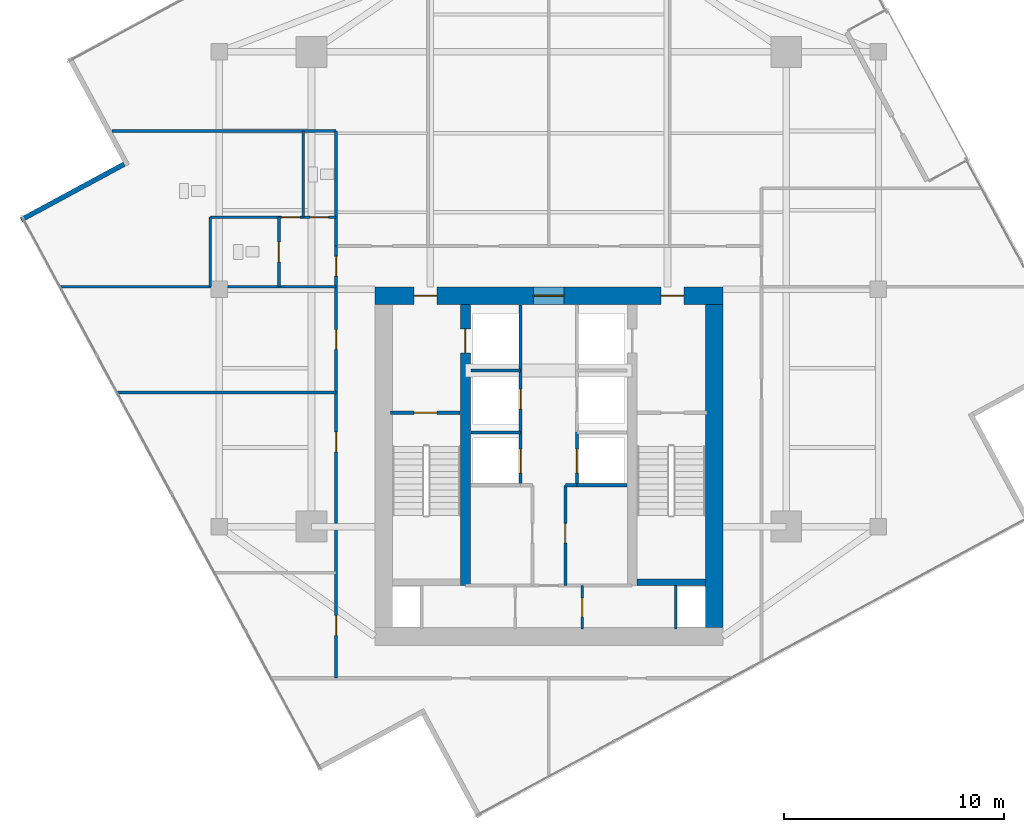
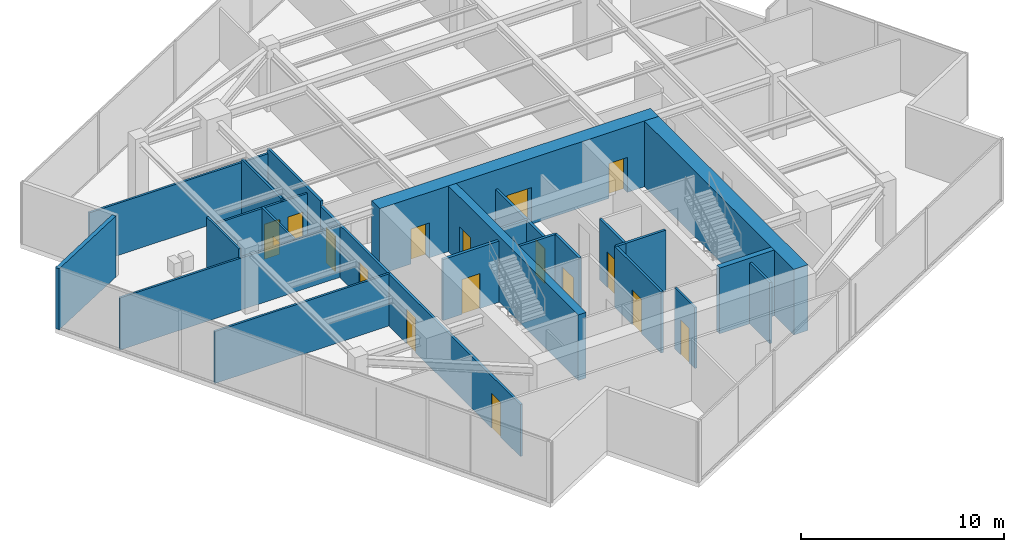
# One storey, part 19 of 22: 25 walls, 17 doors, 17 openings.
"""IFC4 building model written with IfcOpenShell, lengths in metres."""

import ifcopenshell
import ifcopenshell.guid

model = None  # the IFC model being written
_history = None  # IfcOwnerHistory: only IFC2X3 demands one
_inside = {}  # id of a spatial element -> (the spatial element, [elements in it])
_under = {}  # id of a project, library or spatial element -> (it, [spatial elements below it])
_declared = {}  # id of a project -> (the project, [libraries it declares])
_typed = {}  # id of a type object -> (the type object, [elements of that type])
_made_of = {}  # id of a material, layer set ... -> (it, [elements and type objects made of it])


def new_model(schema):
    """Start an empty IFC model of exactly this schema.

    Asked for "IFC4X3", IfcOpenShell would pick the latest addendum, in which some entities
    have other attributes; the version numbers below select the first issue.
    IFC2X3 requires an IfcOwnerHistory on every rooted entity: one is made here for all.
    """
    global model, _history
    if schema == "IFC4X3":
        model = ifcopenshell.file(schema_version=(4, 3, 0, 0))
    else:
        model = ifcopenshell.file(schema=schema)
    _inside.clear()
    _under.clear()
    _declared.clear()
    _typed.clear()
    _made_of.clear()
    _history = None
    if model.schema == "IFC2X3":
        org = make("IfcOrganization", Name="unknown")
        user = make(
            "IfcPersonAndOrganization",
            ThePerson=make("IfcPerson", FamilyName="unknown"),
            TheOrganization=org,
        )
        app = make(
            "IfcApplication",
            ApplicationDeveloper=org,
            Version="unknown",
            ApplicationFullName="unknown",
            ApplicationIdentifier="unknown",
        )
        _history = make(
            "IfcOwnerHistory",
            OwningUser=user,
            OwningApplication=app,
            ChangeAction="ADDED",
            CreationDate=0,
        )
    return model


def make(cls, **values):
    """One entity of the class cls with the attributes given. An attribute that is None is left unset."""
    return model.create_entity(
        cls, **{name: value for name, value in values.items() if value is not None}
    )


def rooted(cls, **values):
    """An entity with a GlobalId (a new one), such as an element, a storey or a relation."""
    return make(cls, GlobalId=ifcopenshell.guid.new(), OwnerHistory=_history, **values)


def si_unit(unit_type, name, prefix=None):
    """IfcSIUnit, for example si_unit("LENGTHUNIT", "METRE", prefix="MILLI")."""
    return make("IfcSIUnit", UnitType=unit_type, Prefix=prefix, Name=name)


def assignment(units):
    """IfcUnitAssignment: the units of a project."""
    return None if units is None else make("IfcUnitAssignment", Units=units)


def point(xyz):
    """IfcCartesianPoint."""
    return None if xyz is None else make("IfcCartesianPoint", Coordinates=xyz)


def direction(xyz):
    """IfcDirection."""
    return None if xyz is None else make("IfcDirection", DirectionRatios=xyz)


def frame(location, z_axis=None, x_axis=None):
    """IfcAxis2Placement3D, a coordinate frame: its origin and axes. An axis left out is left unset."""
    return make(
        "IfcAxis2Placement3D",
        Location=point(location),
        Axis=direction(z_axis),
        RefDirection=direction(x_axis),
    )


def frame_2d(location, x_axis=None):
    """IfcAxis2Placement2D, a coordinate frame in the plane: its origin and x axis."""
    return make(
        "IfcAxis2Placement2D", Location=point(location), RefDirection=direction(x_axis)
    )


def origin():
    """The frame at (0, 0, 0) with its axes left unset."""
    return frame((0.0, 0.0, 0.0))


def place(relative_to, where):
    """IfcLocalPlacement: puts the frame where relative to a parent placement (None: the world)."""
    return make(
        "IfcLocalPlacement", PlacementRelTo=relative_to, RelativePlacement=where
    )


def context(
    kind, dimensions, precision=None, world=None, true_north=None, identifier=None
):
    """IfcGeometricRepresentationContext, for example the 3D "Model" context."""
    return make(
        "IfcGeometricRepresentationContext",
        ContextIdentifier=identifier,
        ContextType=kind,
        CoordinateSpaceDimension=dimensions,
        Precision=precision,
        WorldCoordinateSystem=world,
        TrueNorth=true_north,
    )


def subcontext(parent, identifier, kind, view, scale=None):
    """IfcGeometricRepresentationSubContext, for example "Body" below "Model"."""
    return make(
        "IfcGeometricRepresentationSubContext",
        ContextIdentifier=identifier,
        ContextType=kind,
        ParentContext=parent,
        TargetScale=scale,
        TargetView=view,
    )


def project(units=None, contexts=None):
    """IfcProject with its units and contexts."""
    return rooted(
        "IfcProject",
        Name="project",
        RepresentationContexts=contexts,
        UnitsInContext=assignment(units),
    )


def spatial(cls, under=None, at=None, **own):
    """A site, building, storey or space (cls), placed at a placement, below another one or the project."""
    s = rooted(cls, ObjectPlacement=at, **own)
    if under is not None:
        _under.setdefault(under.id(), (under, []))[1].append(s)
    return s


def profile(cls, at=None, kind="AREA", **sizes):
    """A parametric profile (cls). Its sizes go by their IFC names, for example OverallWidth=200.0."""
    return make(cls, ProfileType=kind, Position=at, **sizes)


def rectangle(**sizes):
    """IfcRectangleProfileDef."""
    return profile("IfcRectangleProfileDef", **sizes)


def extrude(swept, where, along, depth):
    """IfcExtrudedAreaSolid: the profile swept, set in the frame where, extruded along a direction by depth."""
    return make(
        "IfcExtrudedAreaSolid",
        SweptArea=swept,
        Position=where,
        ExtrudedDirection=direction(along),
        Depth=depth,
    )


def shape(context_of_items, identifier, shape_type, items):
    """IfcShapeRepresentation: the items that make up one representation, for example the "Body"."""
    return make(
        "IfcShapeRepresentation",
        ContextOfItems=context_of_items,
        RepresentationIdentifier=identifier,
        RepresentationType=shape_type,
        Items=items,
    )


def material(Name=None, Category=None):
    """IfcMaterial."""
    return make("IfcMaterial", Name=Name, Category=Category)


def layer(
    of_material, thickness, ventilated=None, Name=None, Category=None, Priority=None
):
    """IfcMaterialLayer: one layer of a wall or slab, of a material (None: an air gap)."""
    return make(
        "IfcMaterialLayer",
        Material=of_material,
        LayerThickness=thickness,
        IsVentilated=ventilated,
        Name=Name,
        Category=Category,
        Priority=Priority,
    )


def layer_set(layers, Name=None):
    """IfcMaterialLayerSet."""
    return make("IfcMaterialLayerSet", MaterialLayers=layers, LayerSetName=Name)


def made_of(thing, what):
    """Note that an element or type object is made of a material, layer set ...; save() writes the relation."""
    if what is not None:
        _made_of.setdefault(what.id(), (what, []))[1].append(thing)
    return thing


def type_object(cls, material=None, **own):
    """A type object (cls), such as IfcWallType, which elements share."""
    return made_of(rooted(cls, **own), material)


def element(
    cls,
    number,
    at=None,
    inside=None,
    cuts=None,
    type_object=None,
    material=None,
    context=None,
    identifier="Body",
    shape_type=None,
    held_by="IfcProductDefinitionShape",
    body=None,
    shapes=None,
    **own,
):
    """One element of the class cls, such as IfcWall. Its Tag is "e" and its number.

    at: its placement. inside: the storey or other place that contains it. cuts: it is an
    opening in that element (IfcRelVoidsElement). A single representation is given by context,
    identifier, shape_type and body (its items); several are given by shapes. held_by: the class
    of the entity that holds the representations. save() writes the other relations.
    """
    e = rooted(cls, Tag="e%d" % number, ObjectPlacement=at, **own)
    if body is not None:
        shapes = [shape(context, identifier, shape_type, body)]
    if shapes is not None:
        e.Representation = make(held_by, Representations=shapes)
    if inside is not None:
        _inside.setdefault(inside.id(), (inside, []))[1].append(e)
    if cuts is not None:
        rooted(
            "IfcRelVoidsElement", RelatingBuildingElement=cuts, RelatedOpeningElement=e
        )
    if type_object is not None:
        _typed.setdefault(type_object.id(), (type_object, []))[1].append(e)
    return made_of(e, material)


def fill(opening, filler):
    """IfcRelFillsElement: the door or window that sits in an opening."""
    return rooted(
        "IfcRelFillsElement",
        RelatingOpeningElement=opening,
        RelatedBuildingElement=filler,
    )


def aggregate(whole, parts):
    """IfcRelAggregates: a whole, such as a stair, and the parts it consists of."""
    return rooted("IfcRelAggregates", RelatingObject=whole, RelatedObjects=parts)


def save(model, path):
    """Write the relations noted so far, then the file.

    IfcRelAggregates (storeys below a building ...), IfcRelContainedInSpatialStructure (elements
    in a storey), IfcRelDefinesByType, IfcRelAssociatesMaterial and IfcRelDeclares: one each for
    every whole, place, type object, material and project.
    """
    for whole, parts in _under.values():
        aggregate(whole, parts)
    for where, things in _inside.values():
        rooted(
            "IfcRelContainedInSpatialStructure",
            RelatedElements=things,
            RelatingStructure=where,
        )
    for kind, things in _typed.values():
        rooted("IfcRelDefinesByType", RelatedObjects=things, RelatingType=kind)
    for what, things in _made_of.values():
        rooted("IfcRelAssociatesMaterial", RelatedObjects=things, RelatingMaterial=what)
    for by, libraries in _declared.values():
        rooted("IfcRelDeclares", RelatingContext=by, RelatedDefinitions=libraries)
    model.write(path)


model = new_model("IFC4")

# Units and contexts
model_context = context("Model", 3, precision=1e-05, world=origin(), true_north=direction((0.0, 1.0)))
body_context = subcontext(model_context, "Body", "Model", "MODEL_VIEW")
ifc_project = project(units=[si_unit("LENGTHUNIT", "METRE"), si_unit("AREAUNIT", "SQUARE_METRE"), si_unit("VOLUMEUNIT", "CUBIC_METRE"), si_unit("PLANEANGLEUNIT", "RADIAN"), si_unit("MASSUNIT", "GRAM", prefix="KILO")], contexts=[model_context])

# Site, building, storey
site_placement = place(None, origin())
site = spatial("IfcSite", under=ifc_project, at=site_placement, CompositionType="ELEMENT")
building_placement = place(site_placement, origin())
building = spatial("IfcBuilding", under=site, at=building_placement, Name="Krantzveldt Concourse Tower", CompositionType="ELEMENT")
storey_placement = place(building_placement, frame((0.0, 0.0, 302.949951171875)))
storey = spatial("IfcBuildingStorey", under=building, at=storey_placement, Name="L74", CompositionType="ELEMENT", Elevation=302.949951171875)

# Wall
ifc_material_1 = material(Name="Anodised aluminium 6063-T6", Category="aluminium")
ifc_layer_1 = layer(ifc_material_1, 0.219970703125, Name="Anodised aluminium 6063-T6", Category="aluminium")
ifc_layer_set_1 = layer_set([ifc_layer_1], Name="Anodised aluminium 6063-T6 (WL-EXT-NOTCH220)")
wall_type_1 = type_object("IfcWallType", Name="WL-EXT-NOTCH220", PredefinedType="ELEMENTEDWALL", material=ifc_layer_set_1)
wall_1_placement = place(storey_placement, frame((16.67431640625, 32.38916015625, 0.0), z_axis=(0.0, 0.0, 1.0), x_axis=(-0.879859387449, -0.475234108958, 0.0)))
element("IfcWall", 1, at=wall_1_placement, inside=storey, type_object=wall_type_1, Name="EW-L74-NCH03", PredefinedType="ELEMENTEDWALL", context=body_context, shape_type="SweptSolid", body=[
    extrude(rectangle(XDim=5.32470703125, YDim=0.219970703125, at=frame_2d((2.662353515625, 0.0))), origin(), (0.0, 0.0, 1.0), 3.670166015625),
])

# Wall, opening, door
ifc_material_2 = material(Name="Fire-rated gypsum plasterboard on steel stud", Category="steel")
ifc_layer_2 = layer(ifc_material_2, 0.1201171875, Name="Fire-rated gypsum plasterboard on steel stud", Category="steel")
ifc_layer_set_2 = layer_set([ifc_layer_2], Name="Fire-rated gypsum plasterboard on steel stud (WL-PART-120)")
wall_type_2 = type_object("IfcWallType", Name="WL-PART-120", PredefinedType="PARTITIONING", material=ifc_layer_set_2)
wall_2_placement = place(storey_placement, frame((37.52001953125, 11.25, 0.0), z_axis=(0.0, 0.0, 1.0), x_axis=(0.0, 1.0, 0.0)))
wall_2 = element("IfcWall", 2, at=wall_2_placement, inside=storey, type_object=wall_type_2, Name="WP-L74-CSB-VR", PredefinedType="PARTITIONING", context=body_context, shape_type="SweptSolid", body=[
    extrude(rectangle(XDim=1.969970703125, YDim=0.1201171875, at=frame_2d((0.98486328125, 0.0))), origin(), (0.0, 0.0, 1.0), 3.670166015625),
])
opening_1_placement = place(wall_2_placement, frame((0.544921875, 0.0, 0.0)))
opening_1 = element("IfcOpeningElement", 3, at=opening_1_placement, cuts=wall_2, Name="Opening D-IN085", PredefinedType="OPENING", context=body_context, shape_type="SweptSolid", body=[
    extrude(rectangle(XDim=0.85009765625, YDim=2.10009765625, at=frame_2d((0.425048828125, 1.050048828125))), frame((0.0, 0.070068359375, 0.0), z_axis=(0.0, -1.0, 0.0), x_axis=(1.0, 0.0, 0.0)), (0.0, 0.0, 1.0), 0.14013671875),
])
ifc_material_3 = material(Name="Hardwood timber", Category="wood")
door_type_1 = type_object("IfcDoorType", Name="DR-INT-850", OperationType="SINGLE_SWING_LEFT", PredefinedType="DOOR", material=ifc_material_3)
door_1_placement = place(opening_1_placement, origin())
door_1 = element("IfcDoor", 4, at=door_1_placement, inside=storey, type_object=door_type_1, Name="DR-L74-CSB2", OperationType="SINGLE_SWING_RIGHT", OverallHeight=2.10009765625, OverallWidth=0.85009765625, PredefinedType="DOOR", context=body_context, shape_type="SweptSolid", body=[
    extrude(rectangle(XDim=0.85009765625, YDim=2.10009765625, at=frame_2d((0.425048828125, 1.050048828125))), frame((0.0, 0.02490234375, 0.0), z_axis=(0.0, -1.0, 0.0), x_axis=(1.0, 0.0, 0.0)), (0.0, 0.0, 1.0), 0.050048828125),
])
fill(opening_1, door_1)

# Walls
wall_3_placement = place(storey_placement, frame((13.760986328125, 26.820068359375, 0.0), z_axis=(0.0, 0.0, 1.0), x_axis=(1.0, 0.0, 0.0)))
element("IfcWall", 5, at=wall_3_placement, inside=storey, type_object=wall_type_2, Name="WP-L74-WCBS", PredefinedType="PARTITIONING", context=body_context, shape_type="SweptSolid", body=[
    extrude(rectangle(XDim=12.55908203125, YDim=0.1201171875, at=frame_2d((6.279541015625, 0.0))), origin(), (0.0, 0.0, 1.0), 3.130126953125),
])
wall_4_placement = place(storey_placement, frame((16.114013671875, 33.89990234375, 0.0), z_axis=(0.0, 0.0, 1.0), x_axis=(1.0, 0.0, 0.0)))
element("IfcWall", 6, at=wall_4_placement, inside=storey, type_object=wall_type_2, Name="WP-L74-WCBN", PredefinedType="PARTITIONING", context=body_context, shape_type="SweptSolid", body=[
    extrude(rectangle(XDim=10.2060546875, YDim=0.1201171875, at=frame_2d((5.10302734375, 0.0))), origin(), (0.0, 0.0, 1.0), 3.130126953125),
])

# Wall, openings, doors
wall_5_placement = place(storey_placement, frame((20.60009765625, 29.97998046875, 0.0), z_axis=(0.0, 0.0, 1.0), x_axis=(1.0, 0.0, 0.0)))
wall_5 = element("IfcWall", 7, at=wall_5_placement, inside=storey, type_object=wall_type_2, Name="WP-L74-WCMH", PredefinedType="PARTITIONING", context=body_context, shape_type="SweptSolid", body=[
    extrude(rectangle(XDim=5.719970703125, YDim=0.1201171875, at=frame_2d((2.85986328125, 0.0))), origin(), (0.0, 0.0, 1.0), 3.130126953125),
])
opening_2_placement = place(wall_5_placement, frame((3.22509765625, 0.0, 0.0)))
opening_2 = element("IfcOpeningElement", 8, at=opening_2_placement, cuts=wall_5, Name="Opening D-IN085", PredefinedType="OPENING", context=body_context, shape_type="SweptSolid", body=[
    extrude(rectangle(XDim=0.85009765625, YDim=2.10009765625, at=frame_2d((0.425048828125, 1.050048828125))), frame((0.0, 0.070068359375, 0.0), z_axis=(0.0, -1.0, 0.0), x_axis=(1.0, 0.0, 0.0)), (0.0, 0.0, 1.0), 0.14013671875),
])
opening_3_placement = place(wall_5_placement, frame((4.52490234375, 0.0, 0.0)))
opening_3 = element("IfcOpeningElement", 9, at=opening_3_placement, cuts=wall_5, Name="Opening D-IN085", PredefinedType="OPENING", context=body_context, shape_type="SweptSolid", body=[
    extrude(rectangle(XDim=0.85009765625, YDim=2.10009765625, at=frame_2d((0.425048828125, 1.050048828125))), frame((0.0, 0.070068359375, 0.0), z_axis=(0.0, -1.0, 0.0), x_axis=(1.0, 0.0, 0.0)), (0.0, 0.0, 1.0), 0.14013671875),
])
door_2_placement = place(opening_2_placement, origin())
door_2 = element("IfcDoor", 10, at=door_2_placement, inside=storey, type_object=door_type_1, Name="DR-L74-WCM", OperationType="SINGLE_SWING_LEFT", OverallHeight=2.10009765625, OverallWidth=0.85009765625, PredefinedType="DOOR", context=body_context, shape_type="SweptSolid", body=[
    extrude(rectangle(XDim=0.85009765625, YDim=2.10009765625, at=frame_2d((0.425048828125, 1.050048828125))), frame((0.0, 0.02490234375, 0.0), z_axis=(0.0, -1.0, 0.0), x_axis=(1.0, 0.0, 0.0)), (0.0, 0.0, 1.0), 0.050048828125),
])
fill(opening_2, door_2)
door_3_placement = place(opening_3_placement, origin())
door_3 = element("IfcDoor", 11, at=door_3_placement, inside=storey, type_object=door_type_1, Name="DR-L74-WCF", OperationType="SINGLE_SWING_RIGHT", OverallHeight=2.10009765625, OverallWidth=0.85009765625, PredefinedType="DOOR", context=body_context, shape_type="SweptSolid", body=[
    extrude(rectangle(XDim=0.85009765625, YDim=2.10009765625, at=frame_2d((0.425048828125, 1.050048828125))), frame((0.0, 0.02490234375, 0.0), z_axis=(0.0, -1.0, 0.0), x_axis=(1.0, 0.0, 0.0)), (0.0, 0.0, 1.0), 0.050048828125),
])
fill(opening_3, door_3)

# Wall
wall_6_placement = place(storey_placement, frame((20.60009765625, 26.820068359375, 0.0), z_axis=(0.0, 0.0, 1.0), x_axis=(0.0, 1.0, 0.0)))
element("IfcWall", 12, at=wall_6_placement, inside=storey, type_object=wall_type_2, Name="WP-L74-WCAL", PredefinedType="PARTITIONING", context=body_context, shape_type="SweptSolid", body=[
    extrude(rectangle(XDim=3.159912109375, YDim=0.1201171875, at=frame_2d((1.580078125, 0.0))), origin(), (0.0, 0.0, 1.0), 3.670166015625),
])

# Wall, opening, door
wall_7_placement = place(storey_placement, frame((23.719970703125, 26.820068359375, 0.0), z_axis=(0.0, 0.0, 1.0), x_axis=(0.0, 1.0, 0.0)))
wall_7 = element("IfcWall", 13, at=wall_7_placement, inside=storey, type_object=wall_type_2, Name="WP-L74-WCAV", PredefinedType="PARTITIONING", context=body_context, shape_type="SweptSolid", body=[
    extrude(rectangle(XDim=3.159912109375, YDim=0.1201171875, at=frame_2d((1.580078125, 0.0))), origin(), (0.0, 0.0, 1.0), 3.179931640625),
])
opening_4_placement = place(wall_7_placement, frame((1.1298828125, 0.0, 0.0)))
opening_4 = element("IfcOpeningElement", 14, at=opening_4_placement, cuts=wall_7, Name="Opening D-IN090", PredefinedType="OPENING", context=body_context, shape_type="SweptSolid", body=[
    extrude(rectangle(XDim=0.89990234375, YDim=2.10009765625, at=frame_2d((0.449951171875, 1.050048828125))), frame((0.0, 0.070068359375, 0.0), z_axis=(0.0, -1.0, 0.0), x_axis=(1.0, 0.0, 0.0)), (0.0, 0.0, 1.0), 0.14013671875),
])
door_type_2 = type_object("IfcDoorType", Name="DR-INT-900", OperationType="SINGLE_SWING_LEFT", PredefinedType="DOOR", material=ifc_material_3)
door_4_placement = place(opening_4_placement, origin())
door_4 = element("IfcDoor", 15, at=door_4_placement, inside=storey, type_object=door_type_2, Name="DR-L74-WCA", OperationType="SINGLE_SWING_LEFT", OverallHeight=2.10009765625, OverallWidth=0.89990234375, PredefinedType="DOOR", context=body_context, shape_type="SweptSolid", body=[
    extrude(rectangle(XDim=0.89990234375, YDim=2.10009765625, at=frame_2d((0.449951171875, 1.050048828125))), frame((0.0, 0.02490234375, 0.0), z_axis=(0.0, -1.0, 0.0), x_axis=(1.0, 0.0, 0.0)), (0.0, 0.0, 1.0), 0.050048828125),
])
fill(opening_4, door_4)

# Walls
wall_8_placement = place(storey_placement, frame((24.820068359375, 29.97998046875, 0.0), z_axis=(0.0, 0.0, 1.0), x_axis=(0.0, 1.0, 0.0)))
element("IfcWall", 16, at=wall_8_placement, inside=storey, type_object=wall_type_2, Name="WP-L74-WCFD", PredefinedType="PARTITIONING", context=body_context, shape_type="SweptSolid", body=[
    extrude(rectangle(XDim=3.919921875, YDim=0.1201171875, at=frame_2d((1.9599609375, 0.0))), origin(), (0.0, 0.0, 1.0), 3.31005859375),
])
wall_9_placement = place(storey_placement, frame((16.364501953125, 22.0, 0.0), z_axis=(0.0, 0.0, 1.0), x_axis=(1.0, 0.0, 0.0)))
element("IfcWall", 17, at=wall_9_placement, inside=storey, type_object=wall_type_2, Name="WP-L74-WD2", PredefinedType="PARTITIONING", context=body_context, shape_type="SweptSolid", body=[
    extrude(rectangle(XDim=9.95556640625, YDim=0.1201171875, at=frame_2d((4.977783203125, 0.0))), origin(), (0.0, 0.0, 1.0), 3.130126953125),
])

# Wall, openings, doors
ifc_layer_3 = layer(ifc_material_2, 0.139892578125, Name="Fire-rated gypsum plasterboard on steel stud", Category="steel")
ifc_layer_set_3 = layer_set([ifc_layer_3], Name="Fire-rated gypsum plasterboard on steel stud (WL-PART-140)")
wall_type_3 = type_object("IfcWallType", Name="WL-PART-140", PredefinedType="PARTITIONING", material=ifc_layer_set_3)
wall_10_placement = place(storey_placement, frame((26.320068359375, 9.0, 0.0), z_axis=(0.0, 0.0, 1.0), x_axis=(0.0, 1.0, 0.0)))
wall_10 = element("IfcWall", 18, at=wall_10_placement, inside=storey, type_object=wall_type_3, Name="WP-L74-CWEST", PredefinedType="PARTITIONING", context=body_context, shape_type="SweptSolid", body=[
    extrude(rectangle(XDim=19.659912109375, YDim=0.139892578125, at=frame_2d((9.830078125, 0.0))), origin(), (0.0, 0.0, 1.0), 3.130126953125),
])
opening_5_placement = place(wall_10_placement, frame((18.300048828125, 0.0, 0.0)))
opening_5 = element("IfcOpeningElement", 19, at=opening_5_placement, cuts=wall_10, Name="Opening D-IN090", PredefinedType="OPENING", context=body_context, shape_type="SweptSolid", body=[
    extrude(rectangle(XDim=0.89990234375, YDim=2.10009765625, at=frame_2d((0.449951171875, 1.050048828125))), frame((0.0, 0.080078125, 0.0), z_axis=(0.0, -1.0, 0.0), x_axis=(1.0, 0.0, 0.0)), (0.0, 0.0, 1.0), 0.159912109375),
])
opening_6_placement = place(wall_10_placement, frame((1.949951171875, 0.0, 0.0)))
opening_6 = element("IfcOpeningElement", 20, at=opening_6_placement, cuts=wall_10, Name="Opening D-IN090", PredefinedType="OPENING", context=body_context, shape_type="SweptSolid", body=[
    extrude(rectangle(XDim=0.89990234375, YDim=2.10009765625, at=frame_2d((0.449951171875, 1.050048828125))), frame((0.0, 0.080078125, 0.0), z_axis=(0.0, -1.0, 0.0), x_axis=(1.0, 0.0, 0.0)), (0.0, 0.0, 1.0), 0.159912109375),
])
opening_7_placement = place(wall_10_placement, frame((10.300048828125, 0.0, 0.0)))
opening_7 = element("IfcOpeningElement", 21, at=opening_7_placement, cuts=wall_10, Name="Opening D-IN090", PredefinedType="OPENING", context=body_context, shape_type="SweptSolid", body=[
    extrude(rectangle(XDim=0.89990234375, YDim=2.10009765625, at=frame_2d((0.449951171875, 1.050048828125))), frame((0.0, 0.080078125, 0.0), z_axis=(0.0, -1.0, 0.0), x_axis=(1.0, 0.0, 0.0)), (0.0, 0.0, 1.0), 0.159912109375),
])
opening_8_placement = place(wall_10_placement, frame((14.9599609375, 0.0, 0.0)))
opening_8 = element("IfcOpeningElement", 22, at=opening_8_placement, cuts=wall_10, Name="Opening D-IN090", PredefinedType="OPENING", context=body_context, shape_type="SweptSolid", body=[
    extrude(rectangle(XDim=0.89990234375, YDim=2.10009765625, at=frame_2d((0.449951171875, 1.050048828125))), frame((0.0, 0.080078125, 0.0), z_axis=(0.0, -1.0, 0.0), x_axis=(1.0, 0.0, 0.0)), (0.0, 0.0, 1.0), 0.159912109375),
])
door_5_placement = place(opening_5_placement, origin())
door_5 = element("IfcDoor", 23, at=door_5_placement, inside=storey, type_object=door_type_2, Name="DR-L74-WCV", OperationType="SINGLE_SWING_LEFT", OverallHeight=2.10009765625, OverallWidth=0.89990234375, PredefinedType="DOOR", context=body_context, shape_type="SweptSolid", body=[
    extrude(rectangle(XDim=0.89990234375, YDim=2.10009765625, at=frame_2d((0.449951171875, 1.050048828125))), frame((0.0, 0.02490234375, 0.0), z_axis=(0.0, -1.0, 0.0), x_axis=(1.0, 0.0, 0.0)), (0.0, 0.0, 1.0), 0.050048828125),
])
fill(opening_5, door_5)
door_6_placement = place(opening_6_placement, origin())
door_6 = element("IfcDoor", 24, at=door_6_placement, inside=storey, type_object=door_type_2, Name="DR-L74-WR1", OperationType="SINGLE_SWING_LEFT", OverallHeight=2.10009765625, OverallWidth=0.89990234375, PredefinedType="DOOR", context=body_context, shape_type="SweptSolid", body=[
    extrude(rectangle(XDim=0.89990234375, YDim=2.10009765625, at=frame_2d((0.449951171875, 1.050048828125))), frame((0.0, 0.02490234375, 0.0), z_axis=(0.0, -1.0, 0.0), x_axis=(1.0, 0.0, 0.0)), (0.0, 0.0, 1.0), 0.050048828125),
])
fill(opening_6, door_6)
door_7_placement = place(opening_7_placement, origin())
door_7 = element("IfcDoor", 25, at=door_7_placement, inside=storey, type_object=door_type_2, Name="DR-L74-WR2", OperationType="SINGLE_SWING_LEFT", OverallHeight=2.10009765625, OverallWidth=0.89990234375, PredefinedType="DOOR", context=body_context, shape_type="SweptSolid", body=[
    extrude(rectangle(XDim=0.89990234375, YDim=2.10009765625, at=frame_2d((0.449951171875, 1.050048828125))), frame((0.0, 0.02490234375, 0.0), z_axis=(0.0, -1.0, 0.0), x_axis=(1.0, 0.0, 0.0)), (0.0, 0.0, 1.0), 0.050048828125),
])
fill(opening_7, door_7)
door_8_placement = place(opening_8_placement, origin())
door_8 = element("IfcDoor", 26, at=door_8_placement, inside=storey, type_object=door_type_2, Name="DR-L74-WR3", OperationType="SINGLE_SWING_LEFT", OverallHeight=2.10009765625, OverallWidth=0.89990234375, PredefinedType="DOOR", context=body_context, shape_type="SweptSolid", body=[
    extrude(rectangle(XDim=0.89990234375, YDim=2.10009765625, at=frame_2d((0.449951171875, 1.050048828125))), frame((0.0, 0.02490234375, 0.0), z_axis=(0.0, -1.0, 0.0), x_axis=(1.0, 0.0, 0.0)), (0.0, 0.0, 1.0), 0.050048828125),
])
fill(opening_8, door_8)

# Wall
wall_11_placement = place(storey_placement, frame((26.320068359375, 28.659912109375, 0.0), z_axis=(0.0, 0.0, 1.0), x_axis=(0.0, 1.0, 0.0)))
element("IfcWall", 27, at=wall_11_placement, inside=storey, type_object=wall_type_3, Name="WP-L74-NWL", PredefinedType="PARTITIONING", context=body_context, shape_type="SweptSolid", body=[
    extrude(rectangle(XDim=5.239990234375, YDim=0.139892578125, at=frame_2d((2.6201171875, 0.0))), origin(), (0.0, 0.0, 1.0), 3.429931640625),
])

# Wall, opening, door
ifc_layer_4 = layer(ifc_material_2, 0.139892578125, Name="Fire-rated gypsum plasterboard on steel stud", Category="steel")
ifc_layer_set_4 = layer_set([ifc_layer_4], Name="Fire-rated gypsum plasterboard on steel stud (WL-PART-FR140)")
wall_type_4 = type_object("IfcWallType", Name="WL-PART-FR140", PredefinedType="PARTITIONING", material=ifc_layer_set_4)
wall_12_placement = place(storey_placement, frame((34.719970703125, 20.199951171875, 0.0), z_axis=(0.0, 0.0, 1.0), x_axis=(0.0, 1.0, 0.0)))
wall_12 = element("IfcWall", 28, at=wall_12_placement, inside=storey, type_object=wall_type_4, Name="WP-L74-SHNW", PredefinedType="PARTITIONING", context=body_context, shape_type="SweptSolid", body=[
    extrude(rectangle(XDim=5.780029296875, YDim=0.139892578125, at=frame_2d((2.89013671875, 0.0))), origin(), (0.0, 0.0, 1.0), 2.820068359375),
])
opening_9_placement = place(wall_12_placement, frame((1.050048828125, 0.0, 0.0)))
opening_9 = element("IfcOpeningElement", 29, at=opening_9_placement, cuts=wall_12, Name="Opening D-FD090", PredefinedType="OPENING", context=body_context, shape_type="SweptSolid", body=[
    extrude(rectangle(XDim=0.89990234375, YDim=2.10009765625, at=frame_2d((0.449951171875, 1.050048828125))), frame((0.0, 0.080078125, 0.0), z_axis=(0.0, -1.0, 0.0), x_axis=(1.0, 0.0, 0.0)), (0.0, 0.0, 1.0), 0.159912109375),
])
door_type_3 = type_object("IfcDoorType", Name="DR-FD60-900", OperationType="SINGLE_SWING_LEFT", PredefinedType="DOOR", material=ifc_material_3)
door_9_placement = place(opening_9_placement, origin())
door_9 = element("IfcDoor", 30, at=door_9_placement, inside=storey, type_object=door_type_3, Name="Electrical Riser Access Door L74", OperationType="SINGLE_SWING_LEFT", OverallHeight=2.10009765625, OverallWidth=0.89990234375, PredefinedType="DOOR", context=body_context, shape_type="SweptSolid", body=[
    extrude(rectangle(XDim=0.89990234375, YDim=2.10009765625, at=frame_2d((0.449951171875, 1.050048828125))), frame((0.0, 0.02490234375, 0.0), z_axis=(0.0, -1.0, 0.0), x_axis=(1.0, 0.0, 0.0)), (0.0, 0.0, 1.0), 0.050048828125),
])
fill(opening_9, door_9)

# Wall
wall_13_placement = place(storey_placement, frame((32.449951171875, 23.0, 0.0), z_axis=(0.0, 0.0, 1.0), x_axis=(1.0, 0.0, 0.0)))
element("IfcWall", 31, at=wall_13_placement, inside=storey, type_object=wall_type_4, Name="WP-L74-RISH", PredefinedType="PARTITIONING", context=body_context, shape_type="SweptSolid", body=[
    extrude(rectangle(XDim=2.27001953125, YDim=0.139892578125, at=frame_2d((1.135009765625, 0.0))), origin(), (0.0, 0.0, 1.0), 2.820068359375),
])

# Wall, opening, door
wall_14_placement = place(storey_placement, frame((34.719970703125, 17.780029296875, 0.0), z_axis=(0.0, 0.0, 1.0), x_axis=(0.0, 1.0, 0.0)))
wall_14 = element("IfcWall", 32, at=wall_14_placement, inside=storey, type_object=wall_type_4, Name="WP-L74-SHNW2", PredefinedType="PARTITIONING", context=body_context, shape_type="SweptSolid", body=[
    extrude(rectangle(XDim=2.419921875, YDim=0.139892578125, at=frame_2d((1.2099609375, 0.0))), origin(), (0.0, 0.0, 1.0), 3.670166015625),
])
opening_10_placement = place(wall_14_placement, frame((0.550048828125, 0.0, 0.0)))
opening_10 = element("IfcOpeningElement", 33, at=opening_10_placement, cuts=wall_14, Name="Opening LD", PredefinedType="OPENING", context=body_context, shape_type="SweptSolid", body=[
    extrude(rectangle(XDim=1.10009765625, YDim=2.14990234375, at=frame_2d((0.550048828125, 1.074951171875))), frame((0.0, 0.080078125, 0.0), z_axis=(0.0, -1.0, 0.0), x_axis=(1.0, 0.0, 0.0)), (0.0, 0.0, 1.0), 0.159912109375),
])
ifc_material_4 = material(Name="Stainless steel 316L", Category="steel")
door_type_4 = type_object("IfcDoorType", Name="DR-SLIDE-LD1100", OperationType="DOUBLE_DOOR_SLIDING", PredefinedType="DOOR", material=ifc_material_4)
door_10_placement = place(opening_10_placement, origin())
door_10 = element("IfcDoor", 34, at=door_10_placement, inside=storey, type_object=door_type_4, Name="LD-L74-PH1", OperationType="DOUBLE_DOOR_SLIDING", OverallHeight=2.14990234375, OverallWidth=1.10009765625, PredefinedType="DOOR", context=body_context, shape_type="SweptSolid", body=[
    extrude(rectangle(XDim=1.10009765625, YDim=2.14990234375, at=frame_2d((0.550048828125, 1.074951171875))), frame((0.0, 0.02490234375, 0.0), z_axis=(0.0, -1.0, 0.0), x_axis=(1.0, 0.0, 0.0)), (0.0, 0.0, 1.0), 0.050048828125),
])
fill(opening_10, door_10)

wall_15_placement = place(storey_placement, frame((37.280029296875, 17.780029296875, 0.0), z_axis=(0.0, 0.0, 1.0), x_axis=(0.0, 1.0, 0.0)))
wall_15 = element("IfcWall", 35, at=wall_15_placement, inside=storey, type_object=wall_type_4, Name="WP-L74-SHNE2", PredefinedType="PARTITIONING", context=body_context, shape_type="SweptSolid", body=[
    extrude(rectangle(XDim=2.419921875, YDim=0.139892578125, at=frame_2d((1.2099609375, 0.0))), origin(), (0.0, 0.0, 1.0), 3.670166015625),
])
opening_11_placement = place(wall_15_placement, frame((0.550048828125, 0.0, 0.0)))
opening_11 = element("IfcOpeningElement", 36, at=opening_11_placement, cuts=wall_15, Name="Opening LD", PredefinedType="OPENING", context=body_context, shape_type="SweptSolid", body=[
    extrude(rectangle(XDim=1.10009765625, YDim=2.14990234375, at=frame_2d((0.550048828125, 1.074951171875))), frame((0.0, 0.080078125, 0.0), z_axis=(0.0, -1.0, 0.0), x_axis=(1.0, 0.0, 0.0)), (0.0, 0.0, 1.0), 0.159912109375),
])
door_11_placement = place(opening_11_placement, origin())
door_11 = element("IfcDoor", 37, at=door_11_placement, inside=storey, type_object=door_type_4, Name="LD-L74-PH2", OperationType="DOUBLE_DOOR_SLIDING", OverallHeight=2.14990234375, OverallWidth=1.10009765625, PredefinedType="DOOR", context=body_context, shape_type="SweptSolid", body=[
    extrude(rectangle(XDim=1.10009765625, YDim=2.14990234375, at=frame_2d((0.550048828125, 1.074951171875))), frame((0.0, 0.02490234375, 0.0), z_axis=(0.0, -1.0, 0.0), x_axis=(1.0, 0.0, 0.0)), (0.0, 0.0, 1.0), 0.050048828125),
])
fill(opening_11, door_11)

# Walls
for number, where, z_axis, x_axis, name in (
    (38, (32.449951171875, 20.179931640625, 0.0), (0.0, 0.0, 1.0), (1.0, 0.0, 0.0), "WP-L74-DIVW3"),
    (39, (37.280029296875, 17.780029296875, 0.0), (0.0, 0.0, 1.0), (1.0, 0.0, 0.0), "WP-L74-DIVE2"),
):
    element("IfcWall", number, at=place(storey_placement, frame(where, z_axis=z_axis, x_axis=x_axis)), inside=storey, type_object=wall_type_4, Name=name, PredefinedType="PARTITIONING", context=body_context, shape_type="SweptSolid", body=[
        extrude(rectangle(XDim=2.27001953125, YDim=0.139892578125, at=frame_2d((1.135009765625, 0.0))), origin(), (0.0, 0.0, 1.0), 3.670166015625),
    ])

# Wall, opening, door
wall_16_placement = place(storey_placement, frame((36.75, 13.219970703125, 0.0), z_axis=(0.0, 0.0, 1.0), x_axis=(0.0, 1.0, 0.0)))
wall_16 = element("IfcWall", 40, at=wall_16_placement, inside=storey, type_object=wall_type_4, Name="WP-L74-RECE", PredefinedType="PARTITIONING", context=body_context, shape_type="SweptSolid", body=[
    extrude(rectangle(XDim=4.56005859375, YDim=0.139892578125, at=frame_2d((2.280029296875, 0.0))), origin(), (0.0, 0.0, 1.0), 3.670166015625),
])
opening_12_placement = place(wall_16_placement, frame((1.929931640625, 0.0, 0.0)))
opening_12 = element("IfcOpeningElement", 41, at=opening_12_placement, cuts=wall_16, Name="Opening D-FD090", PredefinedType="OPENING", context=body_context, shape_type="SweptSolid", body=[
    extrude(rectangle(XDim=0.89990234375, YDim=2.10009765625, at=frame_2d((0.449951171875, 1.050048828125))), frame((0.0, 0.080078125, 0.0), z_axis=(0.0, -1.0, 0.0), x_axis=(1.0, 0.0, 0.0)), (0.0, 0.0, 1.0), 0.159912109375),
])
door_12_placement = place(opening_12_placement, origin())
door_12 = element("IfcDoor", 42, at=door_12_placement, inside=storey, type_object=door_type_3, Name="DR-L74-RECE", OperationType="SINGLE_SWING_RIGHT", OverallHeight=2.10009765625, OverallWidth=0.89990234375, PredefinedType="DOOR", context=body_context, shape_type="SweptSolid", body=[
    extrude(rectangle(XDim=0.89990234375, YDim=2.10009765625, at=frame_2d((0.449951171875, 1.050048828125))), frame((0.0, 0.02490234375, 0.0), z_axis=(0.0, -1.0, 0.0), x_axis=(1.0, 0.0, 0.0)), (0.0, 0.0, 1.0), 0.050048828125),
])
fill(opening_12, door_12)

# Walls
wall_17_placement = place(storey_placement, frame((36.75, 17.780029296875, 0.0), z_axis=(0.0, 0.0, 1.0), x_axis=(1.0, 0.0, 0.0)))
element("IfcWall", 43, at=wall_17_placement, inside=storey, type_object=wall_type_4, Name="WP-L74-RECEN", PredefinedType="PARTITIONING", context=body_context, shape_type="SweptSolid", body=[
    extrude(rectangle(XDim=0.530029296875, YDim=0.139892578125, at=frame_2d((0.26513671875, 0.0))), origin(), (0.0, 0.0, 1.0), 3.670166015625),
])
wall_18_placement = place(storey_placement, frame((41.780029296875, 11.25, 0.0), z_axis=(0.0, 0.0, 1.0), x_axis=(0.0, 1.0, 0.0)))
element("IfcWall", 44, at=wall_18_placement, inside=storey, type_object=wall_type_4, Name="WP-L74-RSE", PredefinedType="PARTITIONING", context=body_context, shape_type="SweptSolid", body=[
    extrude(rectangle(XDim=1.969970703125, YDim=0.1201171875, at=frame_2d((0.98486328125, 0.0))), origin(), (0.0, 0.0, 1.0), 3.670166015625),
])

# Wall, opening, door
ifc_layer_5 = layer(ifc_material_2, 0.159912109375, Name="Fire-rated gypsum plasterboard on steel stud", Category="steel")
ifc_layer_set_5 = layer_set([ifc_layer_5], Name="Fire-rated gypsum plasterboard on steel stud (WL-PART-FR160)")
wall_type_5 = type_object("IfcWallType", Name="WL-PART-FR160", PredefinedType="PARTITIONING", material=ifc_layer_set_5)
wall_19_placement = place(storey_placement, frame((28.800048828125, 21.080078125, 0.0), z_axis=(0.0, 0.0, 1.0), x_axis=(1.0, 0.0, 0.0)))
wall_19 = element("IfcWall", 45, at=wall_19_placement, inside=storey, type_object=wall_type_5, Name="WP-L74-ST1", PredefinedType="PARTITIONING", context=body_context, shape_type="SweptSolid", body=[
    extrude(rectangle(XDim=3.159912109375, YDim=0.159912109375, at=frame_2d((1.580078125, 0.0))), origin(), (0.0, 0.0, 1.0), 3.670166015625),
])
opening_13_placement = place(wall_19_placement, frame((1.054931640625, 0.0, 0.0)))
opening_13 = element("IfcOpeningElement", 46, at=opening_13_placement, cuts=wall_19, Name="Opening D-FD105", PredefinedType="OPENING", context=body_context, shape_type="SweptSolid", body=[
    extrude(rectangle(XDim=1.050048828125, YDim=2.10009765625, at=frame_2d((0.52490234375, 1.050048828125))), frame((0.0, 0.08984375, 0.0), z_axis=(0.0, -1.0, 0.0), x_axis=(1.0, 0.0, 0.0)), (0.0, 0.0, 1.0), 0.179931640625),
])
ifc_material_5 = material(Name="Galvanised steel", Category="steel")
door_type_5 = type_object("IfcDoorType", Name="DR-FD120-1050", OperationType="SINGLE_SWING_LEFT", PredefinedType="DOOR", material=ifc_material_5)
door_13_placement = place(opening_13_placement, origin())
door_13 = element("IfcDoor", 47, at=door_13_placement, inside=storey, type_object=door_type_5, Name="DR-L74-ST1", OperationType="SINGLE_SWING_RIGHT", OverallHeight=2.10009765625, OverallWidth=1.050048828125, PredefinedType="DOOR", context=body_context, shape_type="SweptSolid", body=[
    extrude(rectangle(XDim=1.050048828125, YDim=2.10009765625, at=frame_2d((0.52490234375, 1.050048828125))), frame((0.0, 0.02490234375, 0.0), z_axis=(0.0, -1.0, 0.0), x_axis=(1.0, 0.0, 0.0)), (0.0, 0.0, 1.0), 0.050048828125),
])
fill(opening_13, door_13)

# Wall
ifc_material_6 = material(Name="Concrete C50/60", Category="concrete")
ifc_layer_6 = layer(ifc_material_6, 0.300048828125, Name="Concrete C50/60", Category="concrete")
ifc_layer_set_6 = layer_set([ifc_layer_6], Name="Concrete C50/60 (WL-SHEAR-300)")
wall_type_6 = type_object("IfcWallType", Name="WL-SHEAR-300", PredefinedType="SHEAR", material=ifc_layer_set_6)
wall_20_placement = place(storey_placement, frame((40.02001953125, 13.3701171875, 0.0), z_axis=(0.0, 0.0, 1.0), x_axis=(1.0, 0.0, 0.0)))
element("IfcWall", 48, at=wall_20_placement, inside=storey, type_object=wall_type_6, Name="CW-L74-ST2S", PredefinedType="SHEAR", context=body_context, shape_type="SweptSolid", body=[
    extrude(rectangle(XDim=3.10009765625, YDim=0.300048828125, at=frame_2d((1.550048828125, 0.0))), origin(), (0.0, 0.0, 1.0), 3.949951171875),
])

# Wall, opening, door
ifc_layer_7 = layer(ifc_material_6, 0.449951171875, Name="Concrete C50/60", Category="concrete")
ifc_layer_set_7 = layer_set([ifc_layer_7], Name="Concrete C50/60 (WL-SHEAR-450)")
wall_type_7 = type_object("IfcWallType", Name="WL-SHEAR-450", PredefinedType="SHEAR", material=ifc_layer_set_7)
wall_21_placement = place(storey_placement, frame((32.205078125, 13.219970703125, 0.0), z_axis=(0.0, 0.0, 1.0), x_axis=(0.0, 1.0, 0.0)))
wall_21 = element("IfcWall", 49, at=wall_21_placement, inside=storey, type_object=wall_type_7, Name="CW-L74-IW", PredefinedType="SHEAR", context=body_context, shape_type="SweptSolid", body=[
    extrude(rectangle(XDim=12.780029296875, YDim=0.449951171875, at=frame_2d((6.39013671875, 0.0))), origin(), (0.0, 0.0, 1.0), 3.949951171875),
])
opening_14_placement = place(wall_21_placement, frame((10.580078125, 0.0, 0.0)))
opening_14 = element("IfcOpeningElement", 50, at=opening_14_placement, cuts=wall_21, Name="Opening LD", PredefinedType="OPENING", context=body_context, shape_type="SweptSolid", body=[
    extrude(rectangle(XDim=1.10009765625, YDim=2.14990234375, at=frame_2d((0.550048828125, 1.074951171875))), frame((0.0, 0.23486328125, 0.0), z_axis=(0.0, -1.0, 0.0), x_axis=(1.0, 0.0, 0.0)), (0.0, 0.0, 1.0), 0.469970703125),
])
door_14_placement = place(opening_14_placement, origin())
door_14 = element("IfcDoor", 51, at=door_14_placement, inside=storey, type_object=door_type_4, Name="LD-L74-FL1", OperationType="DOUBLE_DOOR_SLIDING", OverallHeight=2.14990234375, OverallWidth=1.10009765625, PredefinedType="DOOR", context=body_context, shape_type="SweptSolid", body=[
    extrude(rectangle(XDim=1.10009765625, YDim=2.14990234375, at=frame_2d((0.550048828125, 1.074951171875))), frame((0.0, 0.02490234375, 0.0), z_axis=(0.0, -1.0, 0.0), x_axis=(1.0, 0.0, 0.0)), (0.0, 0.0, 1.0), 0.050048828125),
])
fill(opening_14, door_14)

# Wall, openings, doors
ifc_material_7 = material(Name="Concrete C60/75", Category="concrete")
ifc_layer_8 = layer(ifc_material_7, 0.800048828125, Name="Concrete C60/75", Category="concrete")
ifc_layer_set_8 = layer_set([ifc_layer_8], Name="Concrete C60/75 (WL-SHEAR-800)")
wall_type_8 = type_object("IfcWallType", Name="WL-SHEAR-800", PredefinedType="SHEAR", material=ifc_layer_set_8)
wall_22_placement = place(storey_placement, frame((28.080078125, 26.39990234375, 0.0), z_axis=(0.0, 0.0, 1.0), x_axis=(1.0, 0.0, 0.0)))
wall_22 = element("IfcWall", 52, at=wall_22_placement, inside=storey, type_object=wall_type_8, Name="CW-L74-N", PredefinedType="SHEAR", context=body_context, shape_type="SweptSolid", body=[
    extrude(rectangle(XDim=15.83984375, YDim=0.800048828125, at=frame_2d((7.919921875, 0.0))), origin(), (0.0, 0.0, 1.0), 3.949951171875),
])
opening_15_placement = place(wall_22_placement, frame((7.219970703125, 0.0, 0.0)))
opening_15 = element("IfcOpeningElement", 53, at=opening_15_placement, cuts=wall_22, Name="Opening D-DB140", PredefinedType="OPENING", context=body_context, shape_type="SweptSolid", body=[
    extrude(rectangle(XDim=1.39990234375, YDim=2.199951171875, at=frame_2d((0.699951171875, 1.10009765625))), frame((0.0, 0.41015625, 0.0), z_axis=(0.0, -1.0, 0.0), x_axis=(1.0, 0.0, 0.0)), (0.0, 0.0, 1.0), 0.820068359375),
])
opening_16_placement = place(wall_22_placement, frame((1.77490234375, 0.0, 0.0)))
opening_16 = element("IfcOpeningElement", 54, at=opening_16_placement, cuts=wall_22, Name="Opening D-FD105", PredefinedType="OPENING", context=body_context, shape_type="SweptSolid", body=[
    extrude(rectangle(XDim=1.050048828125, YDim=2.10009765625, at=frame_2d((0.52490234375, 1.050048828125))), frame((0.0, 0.41015625, 0.0), z_axis=(0.0, -1.0, 0.0), x_axis=(1.0, 0.0, 0.0)), (0.0, 0.0, 1.0), 0.820068359375),
])
opening_17_placement = place(wall_22_placement, frame((13.014892578125, 0.0, 0.0)))
opening_17 = element("IfcOpeningElement", 55, at=opening_17_placement, cuts=wall_22, Name="Opening D-FD105", PredefinedType="OPENING", context=body_context, shape_type="SweptSolid", body=[
    extrude(rectangle(XDim=1.050048828125, YDim=2.10009765625, at=frame_2d((0.52490234375, 1.050048828125))), frame((0.0, 0.41015625, 0.0), z_axis=(0.0, -1.0, 0.0), x_axis=(1.0, 0.0, 0.0)), (0.0, 0.0, 1.0), 0.820068359375),
])
door_type_6 = type_object("IfcDoorType", Name="DR-DBL-1400", OperationType="DOUBLE_DOOR_SINGLE_SWING", PredefinedType="DOOR", material=ifc_material_1)
door_15_placement = place(opening_15_placement, origin())
door_15 = element("IfcDoor", 56, at=door_15_placement, inside=storey, type_object=door_type_6, Name="DR-L74-LLB", OperationType="DOUBLE_DOOR_SINGLE_SWING", OverallHeight=2.199951171875, OverallWidth=1.39990234375, PredefinedType="DOOR", context=body_context, shape_type="SweptSolid", body=[
    extrude(rectangle(XDim=1.39990234375, YDim=2.199951171875, at=frame_2d((0.699951171875, 1.10009765625))), frame((0.0, 0.02490234375, 0.0), z_axis=(0.0, -1.0, 0.0), x_axis=(1.0, 0.0, 0.0)), (0.0, 0.0, 1.0), 0.050048828125),
])
fill(opening_15, door_15)
door_16_placement = place(opening_16_placement, origin())
door_16 = element("IfcDoor", 57, at=door_16_placement, inside=storey, type_object=door_type_5, Name="DR-L74-FFL1", OperationType="SINGLE_SWING_LEFT", OverallHeight=2.10009765625, OverallWidth=1.050048828125, PredefinedType="DOOR", context=body_context, shape_type="SweptSolid", body=[
    extrude(rectangle(XDim=1.050048828125, YDim=2.10009765625, at=frame_2d((0.52490234375, 1.050048828125))), frame((0.0, 0.02490234375, 0.0), z_axis=(0.0, -1.0, 0.0), x_axis=(1.0, 0.0, 0.0)), (0.0, 0.0, 1.0), 0.050048828125),
])
fill(opening_16, door_16)
door_17_placement = place(opening_17_placement, origin())
door_17 = element("IfcDoor", 58, at=door_17_placement, inside=storey, type_object=door_type_5, Name="DR-L74-FFL2", OperationType="SINGLE_SWING_RIGHT", OverallHeight=2.10009765625, OverallWidth=1.050048828125, PredefinedType="DOOR", context=body_context, shape_type="SweptSolid", body=[
    extrude(rectangle(XDim=1.050048828125, YDim=2.10009765625, at=frame_2d((0.52490234375, 1.050048828125))), frame((0.0, 0.02490234375, 0.0), z_axis=(0.0, -1.0, 0.0), x_axis=(1.0, 0.0, 0.0)), (0.0, 0.0, 1.0), 0.050048828125),
])
fill(opening_17, door_17)

# Wall
wall_23_placement = place(storey_placement, frame((43.52001953125, 11.300048828125, 0.0), z_axis=(0.0, 0.0, 1.0), x_axis=(0.0, 1.0, 0.0)))
element("IfcWall", 59, at=wall_23_placement, inside=storey, type_object=wall_type_8, Name="CW-L74-E", PredefinedType="SHEAR", context=body_context, shape_type="SweptSolid", body=[
    extrude(rectangle(XDim=14.699951171875, YDim=0.800048828125, at=frame_2d((7.35009765625, 0.0))), origin(), (0.0, 0.0, 1.0), 3.949951171875),
])

save(model, "model.ifc")
